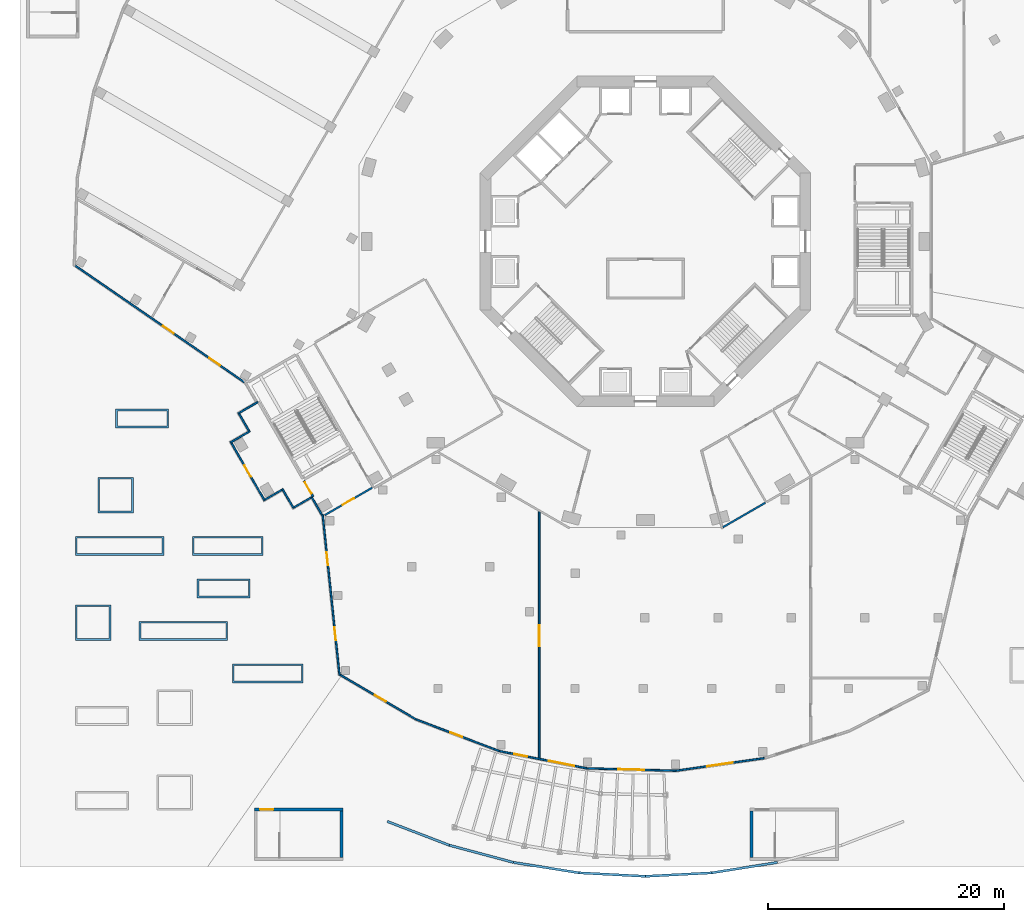
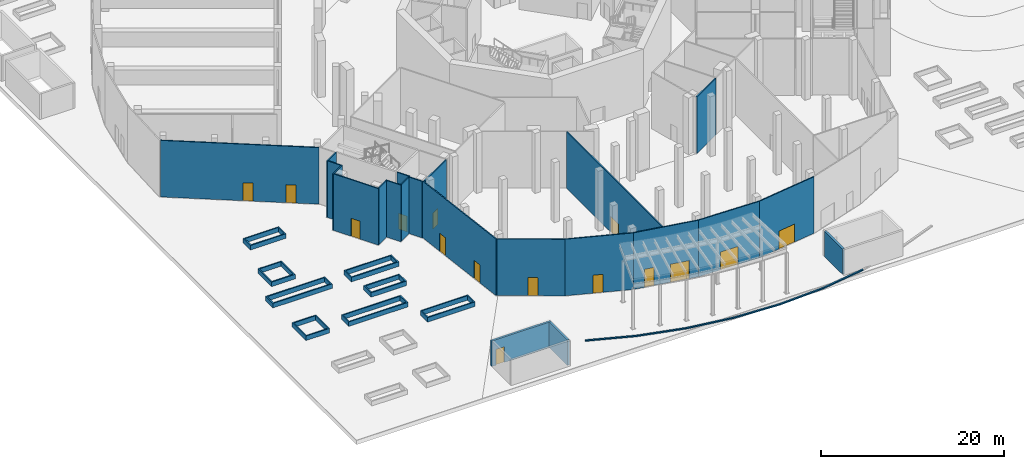
# One storey, part 5 of 30: 36 walls, 15 doors, 15 openings.
"""IFC4 building model written with IfcOpenShell, lengths in metres."""

from ifc_helpers import new_model, si_unit, direction, frame, frame_2d, origin, place, context, subcontext, project, spatial, polyline, rectangle, outline, extrude, material, layer, layer_set, type_object, element, fill, save


model = new_model("IFC4")

# Units and contexts
model_context = context("Model", 3, precision=1e-05, world=origin(), true_north=direction((0.0, 1.0)))
body_context = subcontext(model_context, "Body", "Model", "MODEL_VIEW")
ifc_project = project(units=[si_unit("LENGTHUNIT", "METRE"), si_unit("AREAUNIT", "SQUARE_METRE"), si_unit("VOLUMEUNIT", "CUBIC_METRE"), si_unit("PLANEANGLEUNIT", "RADIAN"), si_unit("MASSUNIT", "GRAM", prefix="KILO")], contexts=[model_context])

# Site, building, storey
site_placement = place(None, origin())
site = spatial("IfcSite", under=ifc_project, at=site_placement, CompositionType="ELEMENT")
building_placement = place(site_placement, origin())
building = spatial("IfcBuilding", under=site, at=building_placement, Name="Verdalira Terraces Hotel", CompositionType="ELEMENT")
storey_placement = place(building_placement, origin())
storey = spatial("IfcBuildingStorey", under=building, at=storey_placement, Name="L00", CompositionType="ELEMENT", Elevation=0.0)

# Wall, opening, door
ifc_material_1 = material(Name="Gypsum board partition on steel stud", Category="steel")
ifc_layer_1 = layer(ifc_material_1, 0.14990234375)
ifc_layer_set_1 = layer_set([ifc_layer_1], Name="Fire-rated partition 150 mm")
wall_type_1 = type_object("IfcWallType", Name="Fire-rated partition 150 mm", PredefinedType="PARTITIONING", material=ifc_layer_set_1)
wall_1_placement = place(storey_placement, frame((-28.161621, -21.622803, 0.0), z_axis=(0.0, 0.0, 1.0), x_axis=(-0.499877454, 0.866096144, 0.0)))
wall_1 = element("IfcWall", 1, at=wall_1_placement, inside=storey, type_object=wall_type_1, Name="Partition", PredefinedType="PARTITIONING", context=body_context, shape_type="SweptSolid", body=[
    extrude(rectangle(XDim=1.54541, YDim=0.149902, at=frame_2d((0.772705, 0.0))), origin(), (0.0, 0.0, 1.0), 7.550049),
])
opening_1_placement = place(wall_1_placement, frame((0.29541, 0.0, 0.0)))
opening_1 = element("IfcOpeningElement", 2, at=opening_1_placement, cuts=wall_1, Name="Opening L00-D04", PredefinedType="OPENING", context=body_context, shape_type="SweptSolid", body=[
    extrude(rectangle(XDim=1.100098, YDim=2.100098, at=frame_2d((0.550049, 1.050049))), frame((0.0, 0.084961, 0.0), z_axis=(0.0, -1.0, 0.0), x_axis=(1.0, 0.0, 0.0)), (0.0, 0.0, 1.0), 0.169922),
])
ifc_material_2 = material(Name="Steel fire door", Category="steel")
door_type_1 = type_object("IfcDoorType", Name="Stair door 1100 x 2100", OperationType="SINGLE_SWING_LEFT", PredefinedType="DOOR", material=ifc_material_2)
door_1_placement = place(opening_1_placement, origin())
door_1 = element("IfcDoor", 3, at=door_1_placement, inside=storey, type_object=door_type_1, Name="Stair door Exit passage PS2", OperationType="SINGLE_SWING_RIGHT", OverallHeight=2.10009765625, OverallWidth=1.10009765625, PredefinedType="DOOR", context=body_context, shape_type="SweptSolid", body=[
    extrude(rectangle(XDim=1.100098, YDim=2.100098, at=frame_2d((0.550049, 1.050049))), frame((0.0, 0.024902, 0.0), z_axis=(0.0, -1.0, 0.0), x_axis=(1.0, 0.0, 0.0)), (0.0, 0.0, 1.0), 0.050049),
])
fill(opening_1, door_1)

wall_2_placement = place(storey_placement, frame((-27.169189, -23.191895, 0.0), z_axis=(0.0, 0.0, 1.0), x_axis=(0.866011597, 0.500023913, 0.0)))
wall_2 = element("IfcWall", 4, at=wall_2_placement, inside=storey, type_object=wall_type_1, Name="Partition", PredefinedType="PARTITIONING", context=body_context, shape_type="SweptSolid", body=[
    extrude(rectangle(XDim=4.650146, YDim=0.149902, at=frame_2d((2.325195, 0.0))), origin(), (0.0, 0.0, 1.0), 7.550049),
])
opening_2_placement = place(wall_2_placement, frame((1.75, 0.0, 0.0)))
opening_2 = element("IfcOpeningElement", 5, at=opening_2_placement, cuts=wall_2, Name="Opening L00-D06", PredefinedType="OPENING", context=body_context, shape_type="SweptSolid", body=[
    extrude(rectangle(XDim=1.100098, YDim=2.100098, at=frame_2d((0.550049, 1.050049))), frame((0.0, 0.084961, 0.0), z_axis=(0.0, -1.0, 0.0), x_axis=(1.0, 0.0, 0.0)), (0.0, 0.0, 1.0), 0.169922),
])
door_2_placement = place(opening_2_placement, origin())
door_2 = element("IfcDoor", 6, at=door_2_placement, inside=storey, type_object=door_type_1, Name="Stair door Stair lobby PS2", OperationType="SINGLE_SWING_RIGHT", OverallHeight=2.10009765625, OverallWidth=1.10009765625, PredefinedType="DOOR", context=body_context, shape_type="SweptSolid", body=[
    extrude(rectangle(XDim=1.100098, YDim=2.100098, at=frame_2d((0.550049, 1.050049))), frame((0.0, 0.024902, 0.0), z_axis=(0.0, -1.0, 0.0), x_axis=(1.0, 0.0, 0.0)), (0.0, 0.0, 1.0), 0.050049),
])
fill(opening_2, door_2)

wall_3_placement = place(storey_placement, frame((-9.0, -22.889893, 0.0), z_axis=(0.0, 0.0, 1.0), x_axis=(0.0, -1.0, 0.0)))
wall_3 = element("IfcWall", 7, at=wall_3_placement, inside=storey, type_object=wall_type_1, Name="Partition", PredefinedType="PARTITIONING", context=body_context, shape_type="SweptSolid", body=[
    extrude(rectangle(XDim=20.965088, YDim=0.149902, at=frame_2d((10.482422, 0.0))), origin(), (0.0, 0.0, 1.0), 7.550049),
])
opening_3_placement = place(wall_3_placement, frame((9.615234, 0.0, 0.0)))
opening_3 = element("IfcOpeningElement", 8, at=opening_3_placement, cuts=wall_3, Name="Opening L00-D11", PredefinedType="OPENING", context=body_context, shape_type="SweptSolid", body=[
    extrude(rectangle(XDim=1.800049, YDim=2.100098, at=frame_2d((0.899902, 1.050049))), frame((0.0, 0.084961, 0.0), z_axis=(0.0, -1.0, 0.0), x_axis=(1.0, 0.0, 0.0)), (0.0, 0.0, 1.0), 0.169922),
])
ifc_material_3 = material(Name="Steel fire door", Category="steel")
door_type_2 = type_object("IfcDoorType", Name="Fire door pair 1800 x 2100", OperationType="DOUBLE_DOOR_SINGLE_SWING", PredefinedType="DOOR", material=ifc_material_3)
door_3_placement = place(opening_3_placement, origin())
door_3 = element("IfcDoor", 9, at=door_3_placement, inside=storey, type_object=door_type_2, Name="Grand lobby door", OperationType="DOUBLE_DOOR_SINGLE_SWING", OverallHeight=2.10009765625, OverallWidth=1.800048828125, PredefinedType="DOOR", context=body_context, shape_type="SweptSolid", body=[
    extrude(rectangle(XDim=1.800049, YDim=2.100098, at=frame_2d((0.899902, 1.050049))), frame((0.0, 0.024902, 0.0), z_axis=(0.0, -1.0, 0.0), x_axis=(1.0, 0.0, 0.0)), (0.0, 0.0, 1.0), 0.050049),
])
fill(opening_3, door_3)

# Walls
wall_4_placement = place(storey_placement, frame((6.564941, -24.220703, 0.0), z_axis=(0.0, 0.0, 1.0), x_axis=(0.866044525, 0.49996688, 0.0)))
element("IfcWall", 10, at=wall_4_placement, inside=storey, type_object=wall_type_1, Name="Partition", PredefinedType="PARTITIONING", context=body_context, shape_type="SweptSolid", body=[
    extrude(rectangle(XDim=4.150146, YDim=0.149902, at=frame_2d((2.075195, 0.0))), origin(), (0.0, 0.0, 1.0), 7.550049),
])
ifc_material_4 = material(Name="Concrete C40", Category="concrete")
ifc_layer_2 = layer(ifc_material_4, 0.14990234375)
ifc_layer_set_2 = layer_set([ifc_layer_2], Name="Garden planter trough 600")
wall_type_2 = type_object("IfcWallType", Name="Garden planter trough 600", PredefinedType="SOLIDWALL", material=ifc_layer_set_2)
wall_5_placement = place(storey_placement, origin())
element("IfcWall", 11, at=wall_5_placement, inside=storey, type_object=wall_type_2, Name="Garden planter", PredefinedType="SOLIDWALL", context=body_context, shape_type="SweptSolid", body=[
    extrude(outline(polyline([(-35.0, -37.399902), (-29.0, -37.399902), (-29.0, -35.800049), (-35.0, -35.800049), (-35.0, -37.399902)]), holes=[polyline([(-34.850098, -37.25), (-34.850098, -35.949951), (-29.149902, -35.949951), (-29.149902, -37.25), (-34.850098, -37.25)])]), origin(), (0.0, 0.0, 1.0), 0.600098),
])
wall_6_placement = place(storey_placement, origin())
element("IfcWall", 12, at=wall_6_placement, inside=storey, type_object=wall_type_2, Name="Garden planter", PredefinedType="SOLIDWALL", context=body_context, shape_type="SweptSolid", body=[
    extrude(outline(polyline([(-48.300049, -33.800049), (-45.300049, -33.800049), (-45.300049, -30.800049), (-48.300049, -30.800049), (-48.300049, -33.800049)]), holes=[polyline([(-48.149902, -33.649902), (-48.149902, -30.949951), (-45.449951, -30.949951), (-45.449951, -33.649902), (-48.149902, -33.649902)])]), origin(), (0.0, 0.0, 1.0), 0.600098),
])
wall_7_placement = place(storey_placement, origin())
element("IfcWall", 13, at=wall_7_placement, inside=storey, type_object=wall_type_2, Name="Garden planter", PredefinedType="SOLIDWALL", context=body_context, shape_type="SweptSolid", body=[
    extrude(outline(polyline([(-42.899902, -33.800049), (-35.399902, -33.800049), (-35.399902, -32.199951), (-42.899902, -32.199951), (-42.899902, -33.800049)]), holes=[polyline([(-42.75, -33.649902), (-42.75, -32.350098), (-35.550049, -32.350098), (-35.550049, -33.649902), (-42.75, -33.649902)])]), origin(), (0.0, 0.0, 1.0), 0.600098),
])
wall_8_placement = place(storey_placement, origin())
element("IfcWall", 14, at=wall_8_placement, inside=storey, type_object=wall_type_2, Name="Garden planter", PredefinedType="SOLIDWALL", context=body_context, shape_type="SweptSolid", body=[
    extrude(outline(polyline([(-38.0, -30.199951), (-33.5, -30.199951), (-33.5, -28.600098), (-38.0, -28.600098), (-38.0, -30.199951)]), holes=[polyline([(-37.850098, -30.050049), (-37.850098, -28.75), (-33.649902, -28.75), (-33.649902, -30.050049), (-37.850098, -30.050049)])]), origin(), (0.0, 0.0, 1.0), 0.600098),
])
wall_9_placement = place(storey_placement, origin())
element("IfcWall", 15, at=wall_9_placement, inside=storey, type_object=wall_type_2, Name="Garden planter", PredefinedType="SOLIDWALL", context=body_context, shape_type="SweptSolid", body=[
    extrude(outline(polyline([(-48.300049, -26.600098), (-40.800049, -26.600098), (-40.800049, -25.0), (-48.300049, -25.0), (-48.300049, -26.600098)]), holes=[polyline([(-48.149902, -26.449951), (-48.149902, -25.149902), (-40.949951, -25.149902), (-40.949951, -26.449951), (-48.149902, -26.449951)])]), origin(), (0.0, 0.0, 1.0), 0.600098),
])
wall_10_placement = place(storey_placement, origin())
element("IfcWall", 16, at=wall_10_placement, inside=storey, type_object=wall_type_2, Name="Garden planter", PredefinedType="SOLIDWALL", context=body_context, shape_type="SweptSolid", body=[
    extrude(outline(polyline([(-38.399902, -26.600098), (-32.399902, -26.600098), (-32.399902, -25.0), (-38.399902, -25.0), (-38.399902, -26.600098)]), holes=[polyline([(-38.25, -26.449951), (-38.25, -25.149902), (-32.550049, -25.149902), (-32.550049, -26.449951), (-38.25, -26.449951)])]), origin(), (0.0, 0.0, 1.0), 0.600098),
])
wall_11_placement = place(storey_placement, origin())
element("IfcWall", 17, at=wall_11_placement, inside=storey, type_object=wall_type_2, Name="Garden planter", PredefinedType="SOLIDWALL", context=body_context, shape_type="SweptSolid", body=[
    extrude(outline(polyline([(-46.399902, -23.0), (-43.399902, -23.0), (-43.399902, -20.0), (-46.399902, -20.0), (-46.399902, -23.0)]), holes=[polyline([(-46.25, -22.850098), (-46.25, -20.149902), (-43.550049, -20.149902), (-43.550049, -22.850098), (-46.25, -22.850098)])]), origin(), (0.0, 0.0, 1.0), 0.600098),
])
wall_12_placement = place(storey_placement, origin())
element("IfcWall", 18, at=wall_12_placement, inside=storey, type_object=wall_type_2, Name="Garden planter", PredefinedType="SOLIDWALL", context=body_context, shape_type="SweptSolid", body=[
    extrude(outline(polyline([(-44.899902, -15.800049), (-40.399902, -15.800049), (-40.399902, -14.199951), (-44.899902, -14.199951), (-44.899902, -15.800049)]), holes=[polyline([(-44.75, -15.649902), (-44.75, -14.350098), (-40.550049, -14.350098), (-40.550049, -15.649902), (-44.75, -15.649902)])]), origin(), (0.0, 0.0, 1.0), 0.600098),
])
ifc_material_5 = material(Name="Concrete C40", Category="concrete")
ifc_layer_3 = layer(ifc_material_5, 0.199951171875)
ifc_layer_set_3 = layer_set([ifc_layer_3], Name="Kerb 200 x 150")
wall_type_3 = type_object("IfcWallType", Name="Kerb 200 x 150", PredefinedType="SOLIDWALL", material=ifc_layer_set_3)
for number, where, z_axis, x_axis, name in (
    (19, (-21.882324, -49.148682, 0.0), (0.0, 0.0, 1.0), (0.933582285, -0.358363108, 0.0), "Drop-off kerb"),
    (20, (-16.625, -51.166748, 0.0), (0.0, 0.0, 1.0), (0.965924829, -0.258822766, 0.0), "Drop-off kerb"),
    (21, (-11.185547, -52.624268, 0.0), (0.0, 0.0, 1.0), (0.987683747, -0.156463464, 0.0), "Drop-off kerb"),
    (22, (-5.623535, -53.505371, 0.0), (0.0, 0.0, 1.0), (0.998629899, -0.052329004, 0.0), "Drop-off kerb"),
    (23, (0.0, -53.800049, 0.0), (0.0, 0.0, 1.0), (0.998629899, 0.052329004, 0.0), "Drop-off kerb"),
    (24, (5.623535, -53.505371, 0.0), (0.0, 0.0, 1.0), (0.987683747, 0.156463464, 0.0), "Drop-off kerb"),
):
    element("IfcWall", number, at=place(storey_placement, frame(where, z_axis=z_axis, x_axis=x_axis)), inside=storey, type_object=wall_type_3, Name=name, PredefinedType="SOLIDWALL", context=body_context, shape_type="SweptSolid", body=[
        extrude(rectangle(XDim=5.631348, YDim=0.199951, at=frame_2d((2.815674, 0.0))), origin(), (0.0, 0.0, 1.0), 0.149902),
    ])

# Wall, opening, door
ifc_material_6 = material(Name="Concrete C40", Category="concrete")
ifc_layer_4 = layer(ifc_material_6, 0.25)
ifc_layer_set_4 = layer_set([ifc_layer_4], Name="Stair head house wall 250 C40")
wall_type_4 = type_object("IfcWallType", Name="Stair head house wall 250 C40", PredefinedType="SOLIDWALL", material=ifc_layer_set_4)
wall_13_placement = place(storey_placement, frame((-33.149902, -48.125, 0.0), z_axis=(0.0, 0.0, 1.0), x_axis=(1.0, 0.0, 0.0)))
wall_13 = element("IfcWall", 25, at=wall_13_placement, inside=storey, type_object=wall_type_4, Name="Stair BS1 enclosure wall", PredefinedType="SOLIDWALL", context=body_context, shape_type="SweptSolid", body=[
    extrude(rectangle(XDim=7.5, YDim=0.25, at=frame_2d((3.75, 0.0))), origin(), (0.0, 0.0, 1.0), 3.399902),
])
opening_4_placement = place(wall_13_placement, frame((0.5, 0.0, 0.0)))
opening_4 = element("IfcOpeningElement", 26, at=opening_4_placement, cuts=wall_13, Name="Opening L00-D601", PredefinedType="OPENING", context=body_context, shape_type="SweptSolid", body=[
    extrude(rectangle(XDim=1.100098, YDim=2.100098, at=frame_2d((0.550049, 1.050049))), frame((0.0, 0.13501, 0.0), z_axis=(0.0, -1.0, 0.0), x_axis=(1.0, 0.0, 0.0)), (0.0, 0.0, 1.0), 0.27002),
])
ifc_material_7 = material(Name="Steel fire door", Category="steel")
door_type_3 = type_object("IfcDoorType", Name="Stair exit door 1100 x 2100", OperationType="SINGLE_SWING_RIGHT", PredefinedType="DOOR", material=ifc_material_7)
door_4_placement = place(opening_4_placement, origin())
door_4 = element("IfcDoor", 27, at=door_4_placement, inside=storey, type_object=door_type_3, Name="Stair BS1 exit door", OperationType="SINGLE_SWING_RIGHT", OverallHeight=2.10009765625, OverallWidth=1.10009765625, PredefinedType="DOOR", context=body_context, shape_type="SweptSolid", body=[
    extrude(rectangle(XDim=1.100098, YDim=2.100098, at=frame_2d((0.550049, 1.050049))), frame((0.0, 0.024902, 0.0), z_axis=(0.0, -1.0, 0.0), x_axis=(1.0, 0.0, 0.0)), (0.0, 0.0, 1.0), 0.050049),
])
fill(opening_4, door_4)

# Walls
for number, where, z_axis, x_axis, name in (
    (28, (-25.774902, -52.199951, 0.0), (0.0, 0.0, 1.0), (0.0, 1.0, 0.0), "Stair BS1 enclosure wall"),
    (29, (8.975098, -52.199951, 0.0), (0.0, 0.0, 1.0), (0.0, 1.0, 0.0), "Stair BS6 enclosure wall"),
):
    element("IfcWall", number, at=place(storey_placement, frame(where, z_axis=z_axis, x_axis=x_axis)), inside=storey, type_object=wall_type_4, Name=name, PredefinedType="SOLIDWALL", context=body_context, shape_type="SweptSolid", body=[
        extrude(rectangle(XDim=3.949951, YDim=0.25, at=frame_2d((1.975098, 0.0))), origin(), (0.0, 0.0, 1.0), 3.399902),
    ])
ifc_material_8 = material(Name="Concrete C40", Category="concrete")
ifc_layer_5 = layer(ifc_material_8, 0.139892578125)
ifc_layer_set_5 = layer_set([ifc_layer_5], Name="Terracotta clad concrete wall C40 140 mm")
wall_type_5 = type_object("IfcWallType", Name="Terracotta clad concrete wall C40 140 mm", PredefinedType="SOLIDWALL", material=ifc_layer_set_5)
wall_14_placement = place(storey_placement, frame((-32.851074, -13.620361, 0.0), z_axis=(0.0, 0.0, 1.0), x_axis=(-0.866011627, -0.500023862, 0.0)))
element("IfcWall", 30, at=wall_14_placement, inside=storey, type_object=wall_type_5, Name="Podium facade wall", PredefinedType="SOLIDWALL", context=body_context, shape_type="SweptSolid", body=[
    extrude(rectangle(XDim=1.939941, YDim=0.139893, at=frame_2d((0.969971, 0.0))), origin(), (0.0, 0.0, 1.0), 7.550049),
])

# Wall, openings, doors
ifc_material_9 = material(Name="Terracotta cladding on steel stud backup", Category="masonry")
ifc_layer_6 = layer(ifc_material_9, 0.139892578125)
ifc_layer_set_6 = layer_set([ifc_layer_6], Name="Terracotta clad wall 140 mm")
wall_type_6 = type_object("IfcWallType", Name="Terracotta clad wall 140 mm", PredefinedType="SOLIDWALL", material=ifc_layer_set_6)
wall_15_placement = place(storey_placement, frame((-33.98877, -11.929688, 0.0), z_axis=(0.0, 0.0, 1.0), x_axis=(-0.823449914, 0.567388967, 0.0)))
wall_15 = element("IfcWall", 31, at=wall_15_placement, inside=storey, type_object=wall_type_6, Name="Podium facade wall", PredefinedType="SOLIDWALL", context=body_context, shape_type="SweptSolid", body=[
    extrude(rectangle(XDim=17.400391, YDim=0.139893, at=frame_2d((8.700195, 0.0))), origin(), (0.0, 0.0, 1.0), 7.550049),
])
opening_5_placement = place(wall_15_placement, frame((7.263672, 0.0, 0.0)))
opening_5 = element("IfcOpeningElement", 32, at=opening_5_placement, cuts=wall_15, Name="Opening L00-E24", PredefinedType="OPENING", context=body_context, shape_type="SweptSolid", body=[
    extrude(rectangle(XDim=1.100098, YDim=2.399902, at=frame_2d((0.550049, 1.199951))), frame((0.0, 0.079834, 0.0), z_axis=(0.0, -1.0, 0.0), x_axis=(1.0, 0.0, 0.0)), (0.0, 0.0, 1.0), 0.159912),
])
opening_6_placement = place(wall_15_placement, frame((2.517578, 0.0, 0.0)))
opening_6 = element("IfcOpeningElement", 33, at=opening_6_placement, cuts=wall_15, Name="Opening L00-E25", PredefinedType="OPENING", context=body_context, shape_type="SweptSolid", body=[
    extrude(rectangle(XDim=1.100098, YDim=2.399902, at=frame_2d((0.550049, 1.199951))), frame((0.0, 0.079834, 0.0), z_axis=(0.0, -1.0, 0.0), x_axis=(1.0, 0.0, 0.0)), (0.0, 0.0, 1.0), 0.159912),
])
ifc_material_10 = material(Name="Glazed steel door", Category="steel")
door_type_4 = type_object("IfcDoorType", Name="Exit door 1100 x 2400", OperationType="SINGLE_SWING_RIGHT", PredefinedType="DOOR", material=ifc_material_10)
door_5_placement = place(opening_5_placement, origin())
door_5 = element("IfcDoor", 34, at=door_5_placement, inside=storey, type_object=door_type_4, Name="Exit door", OperationType="SINGLE_SWING_RIGHT", OverallHeight=2.39990234375, OverallWidth=1.10009765625, PredefinedType="DOOR", context=body_context, shape_type="SweptSolid", body=[
    extrude(rectangle(XDim=1.100098, YDim=2.399902, at=frame_2d((0.550049, 1.199951))), frame((0.0, 0.024902, 0.0), z_axis=(0.0, -1.0, 0.0), x_axis=(1.0, 0.0, 0.0)), (0.0, 0.0, 1.0), 0.050049),
])
fill(opening_5, door_5)
door_6_placement = place(opening_6_placement, origin())
door_6 = element("IfcDoor", 35, at=door_6_placement, inside=storey, type_object=door_type_4, Name="Exit door", OperationType="SINGLE_SWING_LEFT", OverallHeight=2.39990234375, OverallWidth=1.10009765625, PredefinedType="DOOR", context=body_context, shape_type="SweptSolid", body=[
    extrude(rectangle(XDim=1.100098, YDim=2.399902, at=frame_2d((0.550049, 1.199951))), frame((0.0, 0.024902, 0.0), z_axis=(0.0, -1.0, 0.0), x_axis=(1.0, 0.0, 0.0)), (0.0, 0.0, 1.0), 0.050049),
])
fill(opening_6, door_6)

# Walls
wall_16_placement = place(storey_placement, frame((-34.435547, -14.615967, 0.0), z_axis=(0.0, 0.0, 1.0), x_axis=(0.500061949, -0.865989634, 0.0)))
element("IfcWall", 36, at=wall_16_placement, inside=storey, type_object=wall_type_6, Name="Podium facade wall", PredefinedType="SOLIDWALL", context=body_context, shape_type="SweptSolid", body=[
    extrude(rectangle(XDim=1.659912, YDim=0.139893, at=frame_2d((0.830078, 0.0))), origin(), (0.0, 0.0, 1.0), 7.550049),
])
wall_17_placement = place(storey_placement, frame((-33.51001, -16.079102, 0.0), z_axis=(0.0, 0.0, 1.0), x_axis=(-0.866011627, -0.500023862, 0.0)))
element("IfcWall", 37, at=wall_17_placement, inside=storey, type_object=wall_type_6, Name="Podium facade wall", PredefinedType="SOLIDWALL", context=body_context, shape_type="SweptSolid", body=[
    extrude(rectangle(XDim=1.939941, YDim=0.139893, at=frame_2d((0.969971, 0.0))), origin(), (0.0, 0.0, 1.0), 7.550049),
])

# Wall, opening, door
wall_18_placement = place(storey_placement, frame((-32.264404, -21.976562, 0.0), z_axis=(0.0, 0.0, 1.0), x_axis=(-0.499998748, 0.866026127, 0.0)))
wall_18 = element("IfcWall", 38, at=wall_18_placement, inside=storey, type_object=wall_type_6, Name="Podium facade wall", PredefinedType="SOLIDWALL", context=body_context, shape_type="SweptSolid", body=[
    extrude(rectangle(XDim=5.660156, YDim=0.139893, at=frame_2d((2.830078, 0.0))), origin(), (0.0, 0.0, 1.0), 7.550049),
])
opening_7_placement = place(wall_18_placement, frame((2.350098, 0.0, 0.0)))
opening_7 = element("IfcOpeningElement", 39, at=opening_7_placement, cuts=wall_18, Name="Opening L00-E26", PredefinedType="OPENING", context=body_context, shape_type="SweptSolid", body=[
    extrude(rectangle(XDim=1.100098, YDim=2.399902, at=frame_2d((0.550049, 1.199951))), frame((0.0, 0.079834, 0.0), z_axis=(0.0, -1.0, 0.0), x_axis=(1.0, 0.0, 0.0)), (0.0, 0.0, 1.0), 0.159912),
])
door_7_placement = place(opening_7_placement, origin())
door_7 = element("IfcDoor", 40, at=door_7_placement, inside=storey, type_object=door_type_4, Name="Exit door", OperationType="SINGLE_SWING_RIGHT", OverallHeight=2.39990234375, OverallWidth=1.10009765625, PredefinedType="DOOR", context=body_context, shape_type="SweptSolid", body=[
    extrude(rectangle(XDim=1.100098, YDim=2.399902, at=frame_2d((0.550049, 1.199951))), frame((0.0, 0.024902, 0.0), z_axis=(0.0, -1.0, 0.0), x_axis=(1.0, 0.0, 0.0)), (0.0, 0.0, 1.0), 0.050049),
])
fill(opening_7, door_7)

# Walls
wall_19_placement = place(storey_placement, frame((-32.23877, -21.880859, 0.0), z_axis=(0.0, 0.0, 1.0), x_axis=(0.866026406, 0.499998264, 0.0)))
element("IfcWall", 41, at=wall_19_placement, inside=storey, type_object=wall_type_6, Name="Podium facade wall", PredefinedType="SOLIDWALL", context=body_context, shape_type="SweptSolid", body=[
    extrude(rectangle(XDim=1.660156, YDim=0.139893, at=frame_2d((0.830078, 0.0))), origin(), (0.0, 0.0, 1.0), 7.550049),
])
wall_20_placement = place(storey_placement, frame((-30.775391, -20.955078, 0.0), z_axis=(0.0, 0.0, 1.0), x_axis=(0.499969368, -0.866043088, 0.0)))
element("IfcWall", 42, at=wall_20_placement, inside=storey, type_object=wall_type_6, Name="Podium facade wall", PredefinedType="SOLIDWALL", context=body_context, shape_type="SweptSolid", body=[
    extrude(rectangle(XDim=1.939941, YDim=0.139893, at=frame_2d((0.969971, 0.0))), origin(), (0.0, 0.0, 1.0), 7.550049),
])
wall_21_placement = place(storey_placement, frame((-29.779785, -22.539795, 0.0), z_axis=(0.0, 0.0, 1.0), x_axis=(0.865989634, 0.500061949, 0.0)))
element("IfcWall", 43, at=wall_21_placement, inside=storey, type_object=wall_type_6, Name="Podium facade wall", PredefinedType="SOLIDWALL", context=body_context, shape_type="SweptSolid", body=[
    extrude(rectangle(XDim=1.659912, YDim=0.139893, at=frame_2d((0.830078, 0.0))), origin(), (0.0, 0.0, 1.0), 7.550049),
])
wall_22_placement = place(storey_placement, frame((-28.31665, -21.614014, 0.0), z_axis=(0.0, 0.0, 1.0), x_axis=(0.499983248, -0.866035075, 0.0)))
element("IfcWall", 44, at=wall_22_placement, inside=storey, type_object=wall_type_6, Name="Podium facade wall", PredefinedType="SOLIDWALL", context=body_context, shape_type="SweptSolid", body=[
    extrude(rectangle(XDim=1.782715, YDim=0.139893, at=frame_2d((0.891357, 0.0))), origin(), (0.0, 0.0, 1.0), 7.550049),
])

# Wall, openings, doors
wall_23_placement = place(storey_placement, frame((-25.925049, -36.772949, 0.0), z_axis=(0.0, 0.0, 1.0), x_axis=(-0.104443805, 0.99453079, 0.0)))
wall_23 = element("IfcWall", 45, at=wall_23_placement, inside=storey, type_object=wall_type_6, Name="Podium facade wall", PredefinedType="SOLIDWALL", context=body_context, shape_type="SweptSolid", body=[
    extrude(rectangle(XDim=13.711914, YDim=0.139893, at=frame_2d((6.855957, 0.0))), origin(), (0.0, 0.0, 1.0), 7.550049),
])
opening_8_placement = place(wall_23_placement, frame((9.382812, 0.0, 0.0)))
opening_8 = element("IfcOpeningElement", 46, at=opening_8_placement, cuts=wall_23, Name="Opening L00-E27", PredefinedType="OPENING", context=body_context, shape_type="SweptSolid", body=[
    extrude(rectangle(XDim=1.100098, YDim=2.399902, at=frame_2d((0.550049, 1.199951))), frame((0.0, 0.079834, 0.0), z_axis=(0.0, -1.0, 0.0), x_axis=(1.0, 0.0, 0.0)), (0.0, 0.0, 1.0), 0.159912),
])
opening_9_placement = place(wall_23_placement, frame((3.003906, 0.0, 0.0)))
opening_9 = element("IfcOpeningElement", 47, at=opening_9_placement, cuts=wall_23, Name="Opening L00-E28", PredefinedType="OPENING", context=body_context, shape_type="SweptSolid", body=[
    extrude(rectangle(XDim=1.100098, YDim=2.399902, at=frame_2d((0.550049, 1.199951))), frame((0.0, 0.079834, 0.0), z_axis=(0.0, -1.0, 0.0), x_axis=(1.0, 0.0, 0.0)), (0.0, 0.0, 1.0), 0.159912),
])
door_8_placement = place(opening_8_placement, origin())
door_8 = element("IfcDoor", 48, at=door_8_placement, inside=storey, type_object=door_type_4, Name="Exit door", OperationType="SINGLE_SWING_LEFT", OverallHeight=2.39990234375, OverallWidth=1.10009765625, PredefinedType="DOOR", context=body_context, shape_type="SweptSolid", body=[
    extrude(rectangle(XDim=1.100098, YDim=2.399902, at=frame_2d((0.550049, 1.199951))), frame((0.0, 0.024902, 0.0), z_axis=(0.0, -1.0, 0.0), x_axis=(1.0, 0.0, 0.0)), (0.0, 0.0, 1.0), 0.050049),
])
fill(opening_8, door_8)
door_9_placement = place(opening_9_placement, origin())
door_9 = element("IfcDoor", 49, at=door_9_placement, inside=storey, type_object=door_type_4, Name="Exit door", OperationType="SINGLE_SWING_RIGHT", OverallHeight=2.39990234375, OverallWidth=1.10009765625, PredefinedType="DOOR", context=body_context, shape_type="SweptSolid", body=[
    extrude(rectangle(XDim=1.100098, YDim=2.399902, at=frame_2d((0.550049, 1.199951))), frame((0.0, 0.024902, 0.0), z_axis=(0.0, -1.0, 0.0), x_axis=(1.0, 0.0, 0.0)), (0.0, 0.0, 1.0), 0.050049),
])
fill(opening_9, door_9)

# Wall, opening, door
wall_24_placement = place(storey_placement, frame((-19.442383, -40.505859, 0.0), z_axis=(0.0, 0.0, 1.0), x_axis=(-0.861885317, 0.507103244, 0.0)))
wall_24 = element("IfcWall", 50, at=wall_24_placement, inside=storey, type_object=wall_type_6, Name="Podium facade wall", PredefinedType="SOLIDWALL", context=body_context, shape_type="SweptSolid", body=[
    extrude(rectangle(XDim=7.445068, YDim=0.139893, at=frame_2d((3.722656, 0.0))), origin(), (0.0, 0.0, 1.0), 7.550049),
])
opening_10_placement = place(wall_24_placement, frame((2.96582, 0.0, 0.0)))
opening_10 = element("IfcOpeningElement", 51, at=opening_10_placement, cuts=wall_24, Name="Opening L00-E29", PredefinedType="OPENING", context=body_context, shape_type="SweptSolid", body=[
    extrude(rectangle(XDim=1.100098, YDim=2.399902, at=frame_2d((0.550049, 1.199951))), frame((0.0, 0.079834, 0.0), z_axis=(0.0, -1.0, 0.0), x_axis=(1.0, 0.0, 0.0)), (0.0, 0.0, 1.0), 0.159912),
])
door_10_placement = place(opening_10_placement, origin())
door_10 = element("IfcDoor", 52, at=door_10_placement, inside=storey, type_object=door_type_4, Name="Exit door", OperationType="SINGLE_SWING_LEFT", OverallHeight=2.39990234375, OverallWidth=1.10009765625, PredefinedType="DOOR", context=body_context, shape_type="SweptSolid", body=[
    extrude(rectangle(XDim=1.100098, YDim=2.399902, at=frame_2d((0.550049, 1.199951))), frame((0.0, 0.024902, 0.0), z_axis=(0.0, -1.0, 0.0), x_axis=(1.0, 0.0, 0.0)), (0.0, 0.0, 1.0), 0.050049),
])
fill(opening_10, door_10)

wall_25_placement = place(storey_placement, frame((-12.379883, -43.190918, 0.0), z_axis=(0.0, 0.0, 1.0), x_axis=(-0.934676196, 0.355500224, 0.0)))
wall_25 = element("IfcWall", 53, at=wall_25_placement, inside=storey, type_object=wall_type_6, Name="Podium facade wall", PredefinedType="SOLIDWALL", context=body_context, shape_type="SweptSolid", body=[
    extrude(rectangle(XDim=7.567383, YDim=0.139893, at=frame_2d((3.783691, 0.0))), origin(), (0.0, 0.0, 1.0), 7.550049),
])
opening_11_placement = place(wall_25_placement, frame((3.357666, 0.0, 0.0)))
opening_11 = element("IfcOpeningElement", 54, at=opening_11_placement, cuts=wall_25, Name="Opening L00-E30", PredefinedType="OPENING", context=body_context, shape_type="SweptSolid", body=[
    extrude(rectangle(XDim=1.100098, YDim=2.399902, at=frame_2d((0.550049, 1.199951))), frame((0.0, 0.079834, 0.0), z_axis=(0.0, -1.0, 0.0), x_axis=(1.0, 0.0, 0.0)), (0.0, 0.0, 1.0), 0.159912),
])
door_11_placement = place(opening_11_placement, origin())
door_11 = element("IfcDoor", 55, at=door_11_placement, inside=storey, type_object=door_type_4, Name="Exit door", OperationType="SINGLE_SWING_RIGHT", OverallHeight=2.39990234375, OverallWidth=1.10009765625, PredefinedType="DOOR", context=body_context, shape_type="SweptSolid", body=[
    extrude(rectangle(XDim=1.100098, YDim=2.399902, at=frame_2d((0.550049, 1.199951))), frame((0.0, 0.024902, 0.0), z_axis=(0.0, -1.0, 0.0), x_axis=(1.0, 0.0, 0.0)), (0.0, 0.0, 1.0), 0.050049),
])
fill(opening_11, door_11)

# Wall, openings, doors
wall_26_placement = place(storey_placement, frame((-4.967285, -44.654785, 0.0), z_axis=(0.0, 0.0, 1.0), x_axis=(-0.981028519, 0.193863469, 0.0)))
wall_26 = element("IfcWall", 56, at=wall_26_placement, inside=storey, type_object=wall_type_6, Name="Podium facade wall", PredefinedType="SOLIDWALL", context=body_context, shape_type="SweptSolid", body=[
    extrude(rectangle(XDim=7.567383, YDim=0.139893, at=frame_2d((3.783691, 0.0))), origin(), (0.0, 0.0, 1.0), 7.550049),
])
opening_12_placement = place(wall_26_placement, frame((5.156738, 0.0, 0.0)))
opening_12 = element("IfcOpeningElement", 57, at=opening_12_placement, cuts=wall_26, Name="Opening L00-E31", PredefinedType="OPENING", context=body_context, shape_type="SweptSolid", body=[
    extrude(rectangle(XDim=1.100098, YDim=2.399902, at=frame_2d((0.550049, 1.199951))), frame((0.0, 0.079834, 0.0), z_axis=(0.0, -1.0, 0.0), x_axis=(1.0, 0.0, 0.0)), (0.0, 0.0, 1.0), 0.159912),
])
opening_13_placement = place(wall_26_placement, frame((1.087646, 0.0, 0.0)))
opening_13 = element("IfcOpeningElement", 58, at=opening_13_placement, cuts=wall_26, Name="Opening L00-E32", PredefinedType="OPENING", context=body_context, shape_type="SweptSolid", body=[
    extrude(rectangle(XDim=2.199951, YDim=2.399902, at=frame_2d((1.100098, 1.199951))), frame((0.0, 0.079834, 0.0), z_axis=(0.0, -1.0, 0.0), x_axis=(1.0, 0.0, 0.0)), (0.0, 0.0, 1.0), 0.159912),
])
ifc_material_11 = material(Name="Glazed steel door", Category="steel")
door_type_5 = type_object("IfcDoorType", Name="Entrance door pair 2200 x 2400", OperationType="DOUBLE_DOOR_SINGLE_SWING", PredefinedType="DOOR", material=ifc_material_11)
door_12_placement = place(opening_13_placement, origin())
door_12 = element("IfcDoor", 59, at=door_12_placement, inside=storey, type_object=door_type_5, Name="Entrance door", OperationType="DOUBLE_DOOR_SINGLE_SWING", OverallHeight=2.39990234375, OverallWidth=2.199951171875, PredefinedType="DOOR", context=body_context, shape_type="SweptSolid", body=[
    extrude(rectangle(XDim=2.199951, YDim=2.399902, at=frame_2d((1.100098, 1.199951))), frame((0.0, 0.024902, 0.0), z_axis=(0.0, -1.0, 0.0), x_axis=(1.0, 0.0, 0.0)), (0.0, 0.0, 1.0), 0.050049),
])
fill(opening_13, door_12)
door_13_placement = place(opening_12_placement, origin())
door_13 = element("IfcDoor", 60, at=door_13_placement, inside=storey, type_object=door_type_4, Name="Exit door", OperationType="SINGLE_SWING_LEFT", OverallHeight=2.39990234375, OverallWidth=1.10009765625, PredefinedType="DOOR", context=body_context, shape_type="SweptSolid", body=[
    extrude(rectangle(XDim=1.100098, YDim=2.399902, at=frame_2d((0.550049, 1.199951))), frame((0.0, 0.024902, 0.0), z_axis=(0.0, -1.0, 0.0), x_axis=(1.0, 0.0, 0.0)), (0.0, 0.0, 1.0), 0.050049),
])
fill(opening_12, door_13)

# Wall, opening, door
wall_27_placement = place(storey_placement, frame((-4.979004, -44.653564, 0.0), z_axis=(0.0, 0.0, 1.0), x_axis=(0.999643142, -0.026713072, 0.0)))
wall_27 = element("IfcWall", 61, at=wall_27_placement, inside=storey, type_object=wall_type_6, Name="Podium facade wall", PredefinedType="SOLIDWALL", context=body_context, shape_type="SweptSolid", body=[
    extrude(rectangle(XDim=7.567383, YDim=0.139893, at=frame_2d((3.783691, 0.0))), origin(), (0.0, 0.0, 1.0), 7.550049),
])
opening_14_placement = place(wall_27_placement, frame((2.683594, 0.0, 0.0)))
opening_14 = element("IfcOpeningElement", 62, at=opening_14_placement, cuts=wall_27, Name="Opening L00-E33", PredefinedType="OPENING", context=body_context, shape_type="SweptSolid", body=[
    extrude(rectangle(XDim=2.199951, YDim=2.399902, at=frame_2d((1.100098, 1.199951))), frame((0.0, 0.079834, 0.0), z_axis=(0.0, -1.0, 0.0), x_axis=(1.0, 0.0, 0.0)), (0.0, 0.0, 1.0), 0.159912),
])
door_14_placement = place(opening_14_placement, origin())
door_14 = element("IfcDoor", 63, at=door_14_placement, inside=storey, type_object=door_type_5, Name="Entrance door", OperationType="DOUBLE_DOOR_SINGLE_SWING", OverallHeight=2.39990234375, OverallWidth=2.199951171875, PredefinedType="DOOR", context=body_context, shape_type="SweptSolid", body=[
    extrude(rectangle(XDim=2.199951, YDim=2.399902, at=frame_2d((1.100098, 1.199951))), frame((0.0, 0.024902, 0.0), z_axis=(0.0, -1.0, 0.0), x_axis=(1.0, 0.0, 0.0)), (0.0, 0.0, 1.0), 0.050049),
])
fill(opening_14, door_14)

wall_28_placement = place(storey_placement, frame((2.57373, -44.856445, 0.0), z_axis=(0.0, 0.0, 1.0), x_axis=(0.989988815, 0.141145834, 0.0)))
wall_28 = element("IfcWall", 64, at=wall_28_placement, inside=storey, type_object=wall_type_6, Name="Podium facade wall", PredefinedType="SOLIDWALL", context=body_context, shape_type="SweptSolid", body=[
    extrude(rectangle(XDim=7.567383, YDim=0.139893, at=frame_2d((3.783691, 0.0))), origin(), (0.0, 0.0, 1.0), 7.550049),
])
opening_15_placement = place(wall_28_placement, frame((2.683594, 0.0, 0.0)))
opening_15 = element("IfcOpeningElement", 65, at=opening_15_placement, cuts=wall_28, Name="Opening L00-E34", PredefinedType="OPENING", context=body_context, shape_type="SweptSolid", body=[
    extrude(rectangle(XDim=2.199951, YDim=2.399902, at=frame_2d((1.100098, 1.199951))), frame((0.0, 0.079834, 0.0), z_axis=(0.0, -1.0, 0.0), x_axis=(1.0, 0.0, 0.0)), (0.0, 0.0, 1.0), 0.159912),
])
door_15_placement = place(opening_15_placement, origin())
door_15 = element("IfcDoor", 66, at=door_15_placement, inside=storey, type_object=door_type_5, Name="Entrance door", OperationType="DOUBLE_DOOR_SINGLE_SWING", OverallHeight=2.39990234375, OverallWidth=2.199951171875, PredefinedType="DOOR", context=body_context, shape_type="SweptSolid", body=[
    extrude(rectangle(XDim=2.199951, YDim=2.399902, at=frame_2d((1.100098, 1.199951))), frame((0.0, 0.024902, 0.0), z_axis=(0.0, -1.0, 0.0), x_axis=(1.0, 0.0, 0.0)), (0.0, 0.0, 1.0), 0.050049),
])
fill(opening_15, door_15)

save(model, "model.ifc")
